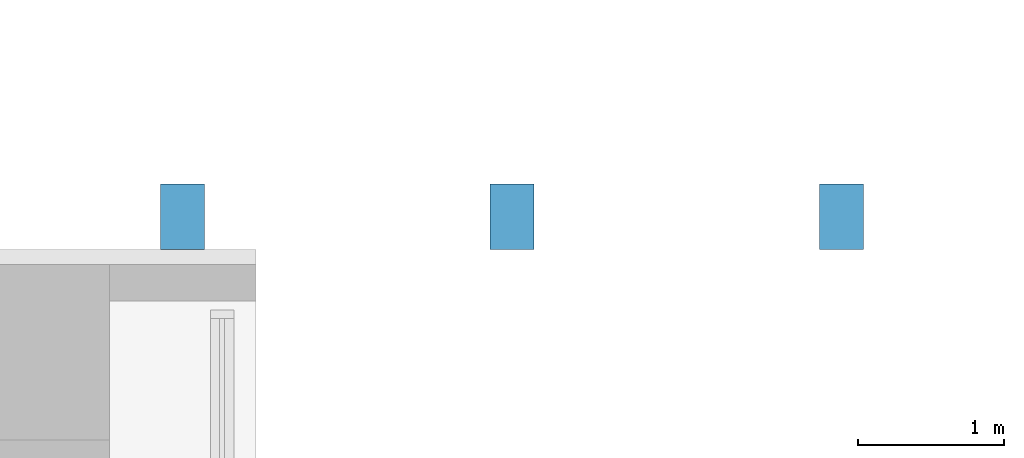
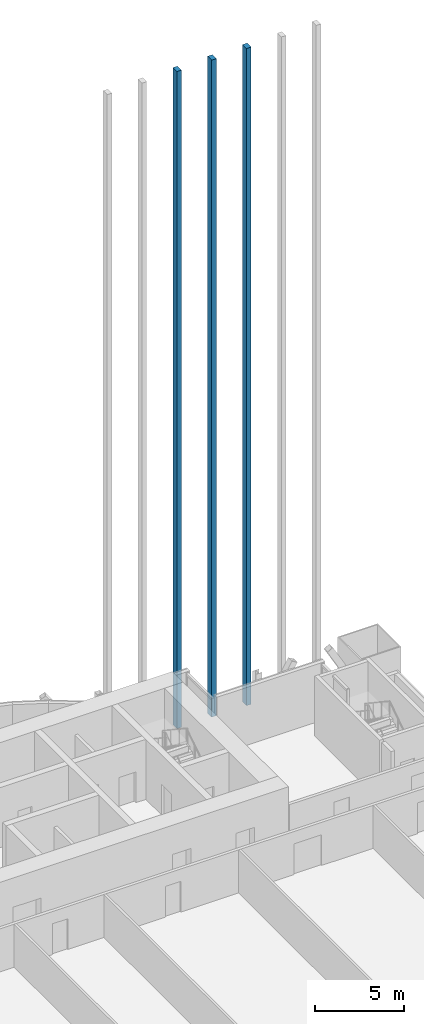
# One storey, part 23 of 33: 3 members, 1 element without a shape of its own.
"""IFC4 building model written with IfcOpenShell, lengths in metres."""

from ifc_helpers import new_model, si_unit, direction, frame, origin, origin_2d, place, context, subcontext, project, spatial, rectangle, extrude, material, material_profile, profile_set, type_object, element, aggregate, save


model = new_model("IFC4")

# Units and contexts
model_context = context("Model", 3, precision=1e-05, world=origin(), true_north=direction((0.0, 1.0)))
body_context = subcontext(model_context, "Body", "Model", "MODEL_VIEW")
ifc_project = project(units=[si_unit("LENGTHUNIT", "METRE"), si_unit("AREAUNIT", "SQUARE_METRE"), si_unit("VOLUMEUNIT", "CUBIC_METRE"), si_unit("PLANEANGLEUNIT", "RADIAN"), si_unit("MASSUNIT", "GRAM", prefix="KILO")], contexts=[model_context])

# Site, building, storey
site_placement = place(None, origin())
site = spatial("IfcSite", under=ifc_project, at=site_placement, CompositionType="ELEMENT")
building_placement = place(site_placement, origin())
building = spatial("IfcBuilding", under=site, at=building_placement, Name="Bicima Exchange Tower", CompositionType="ELEMENT")
storey_placement = place(building_placement, frame((0.0, 0.0, 140.39990234375)))
storey = spatial("IfcBuildingStorey", under=building, at=storey_placement, Name="L30", CompositionType="ELEMENT", Elevation=140.39990234375)

# Curtain wall, members
ifc_material = material(Name="Anodised bronze aluminium", Category="aluminium")
curtain_wall_type = type_object("IfcCurtainWallType", Name="Rear blade screen", PredefinedType="NOTDEFINED", material=ifc_material)
curtain_wall_placement = place(storey_placement, origin())
curtain_wall = element("IfcCurtainWall", 1, at=curtain_wall_placement, inside=storey, type_object=curtain_wall_type, Name="Rear blade screen L30-L40 E", PredefinedType="NOTDEFINED")
ifc_material_profile = material_profile(ifc_material, rectangle(XDim=0.449951171875, YDim=0.300048828125, at=origin_2d()))
ifc_profile_set = profile_set([ifc_material_profile], Name="Anodised bronze aluminium")
member_type = type_object("IfcMemberType", Name="Rear blade fin 450 x 300", PredefinedType="USERDEFINED", material=ifc_profile_set)
member_1_placement = place(storey_placement, frame((22.5, 0.324951171875, 0.0), z_axis=(0.0, 0.0, 1.0), x_axis=(0.0, 1.0, 0.0)))
member_1 = element("IfcMember", 2, at=member_1_placement, type_object=member_type, Name="Rear blade fin L30-L40 15", ObjectType="FIN", PredefinedType="USERDEFINED", context=body_context, shape_type="SweptSolid", body=[
    extrude(rectangle(XDim=0.449951171875, YDim=0.300048828125, at=origin_2d()), origin(), (0.0, 0.0, 1.0), 44.900146484375),
])
member_2_placement = place(storey_placement, frame((24.75, 0.324951171875, 0.0), z_axis=(0.0, 0.0, 1.0), x_axis=(0.0, 1.0, 0.0)))
member_2 = element("IfcMember", 3, at=member_2_placement, type_object=member_type, Name="Rear blade fin L30-L40 16", ObjectType="FIN", PredefinedType="USERDEFINED", context=body_context, shape_type="SweptSolid", body=[
    extrude(rectangle(XDim=0.449951171875, YDim=0.300048828125, at=origin_2d()), origin(), (0.0, 0.0, 1.0), 44.900146484375),
])
member_3_placement = place(storey_placement, frame((27.0, 0.324951171875, 0.0), z_axis=(0.0, 0.0, 1.0), x_axis=(0.0, 1.0, 0.0)))
member_3 = element("IfcMember", 4, at=member_3_placement, type_object=member_type, Name="Rear blade fin L30-L40 17", ObjectType="FIN", PredefinedType="USERDEFINED", context=body_context, shape_type="SweptSolid", body=[
    extrude(rectangle(XDim=0.449951171875, YDim=0.300048828125, at=origin_2d()), origin(), (0.0, 0.0, 1.0), 44.900146484375),
])
aggregate(curtain_wall, [member_1, member_2, member_3])

save(model, "model.ifc")
